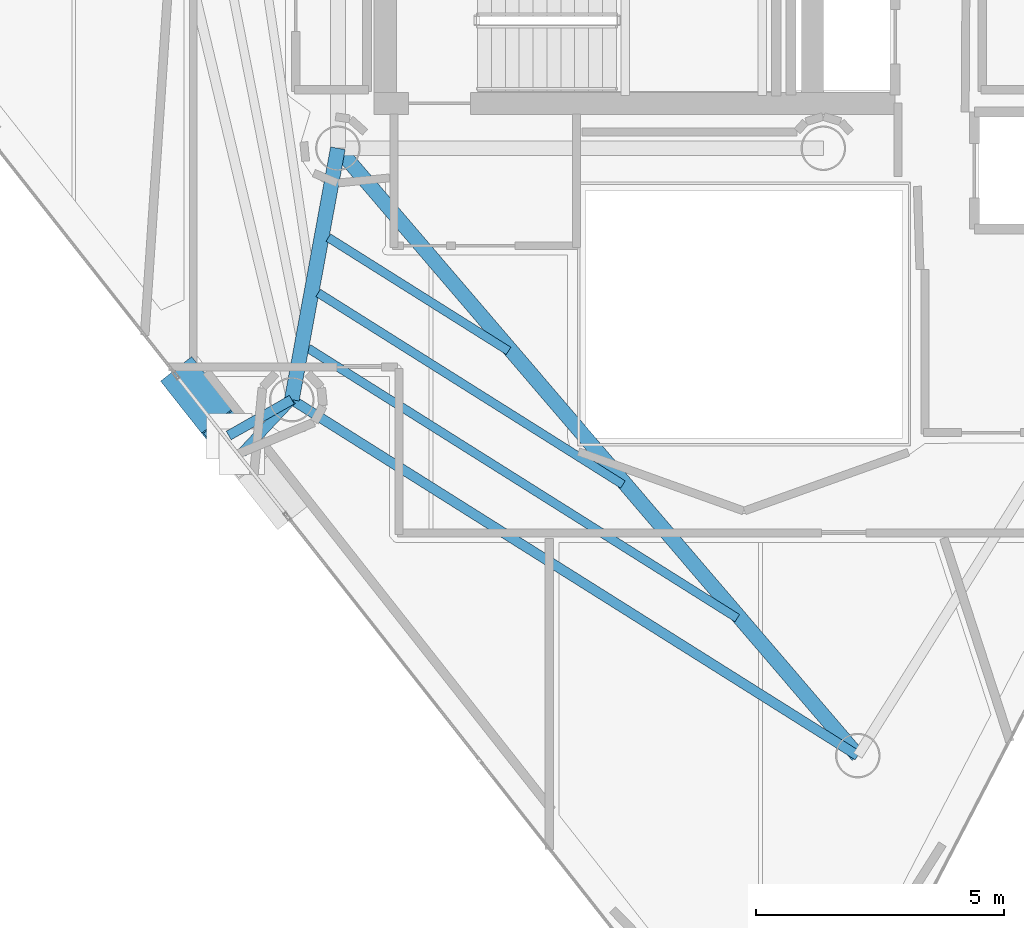
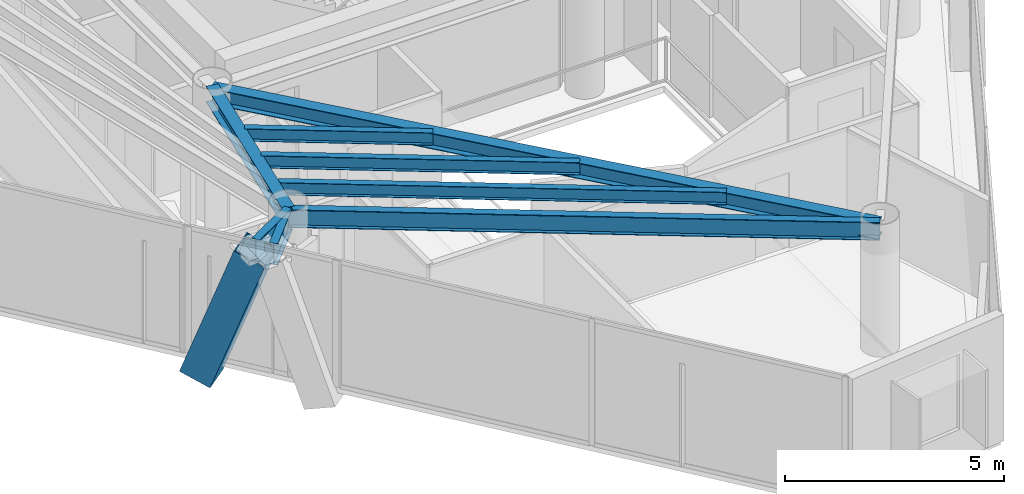
# One storey, part 4 of 21: 8 beams, 1 member.
"""IFC4 building model written with IfcOpenShell, lengths in metres."""

from ifc_helpers import new_model, si_unit, direction, frame, origin, origin_2d, place, context, subcontext, project, spatial, hollow_rectangle, i_section, extrude, material, material_profile, profile_set, type_object, element, save


model = new_model("IFC4")

# Units and contexts
model_context = context("Model", 3, precision=1e-05, world=origin(), true_north=direction((0.0, 1.0)))
body_context = subcontext(model_context, "Body", "Model", "MODEL_VIEW")
ifc_project = project(units=[si_unit("LENGTHUNIT", "METRE"), si_unit("AREAUNIT", "SQUARE_METRE"), si_unit("VOLUMEUNIT", "CUBIC_METRE"), si_unit("PLANEANGLEUNIT", "RADIAN"), si_unit("MASSUNIT", "GRAM", prefix="KILO")], contexts=[model_context])

# Site, building, storey
site_placement = place(None, origin())
site = spatial("IfcSite", under=ifc_project, at=site_placement, CompositionType="ELEMENT")
building_placement = place(site_placement, origin())
building = spatial("IfcBuilding", under=site, at=building_placement, Name="Qianvela Tower", CompositionType="ELEMENT")
storey_placement = place(building_placement, frame((0.0, 0.0, 310.199951171875)))
storey = spatial("IfcBuildingStorey", under=building, at=storey_placement, Name="L80", CompositionType="ELEMENT", Elevation=310.199951171875)

# Beams
ifc_material_1 = material(Name="Steel Q355B", Category="steel")
ifc_material_profile_1 = material_profile(ifc_material_1, i_section(OverallWidth=0.300048828125, OverallDepth=0.43994140625, WebThickness=0.010986328125, FlangeThickness=0.01806640625, at=origin_2d()), Name="HM440x300x11x18")
ifc_profile_set_1 = profile_set([ifc_material_profile_1], Name="Steel Q355B")
beam_type_1 = type_object("IfcBeamType", Name="BM-HM440-COLL", PredefinedType="BEAM", material=ifc_profile_set_1)
beam_1_placement = place(storey_placement, frame((28.60009765625, 23.85009765625, 3.298095703125), z_axis=(-0.180242432023, -0.983622216961, 0.0), x_axis=(0.983622216961, -0.180242432023, 0.0)))
element("IfcBeam", 1, at=beam_1_placement, inside=storey, type_object=beam_type_1, Name="L80 Radial Primary Floor Girder 4", PredefinedType="BEAM", context=body_context, shape_type="SweptSolid", body=[
    extrude(i_section(OverallWidth=0.300048828125, OverallDepth=0.43994140625, WebThickness=0.010986328125, FlangeThickness=0.01806640625, at=origin_2d()), origin(), (0.0, 0.0, 1.0), 5.16064453125),
])
beam_2_placement = place(storey_placement, frame((28.60009765625, 23.85009765625, 3.298095703125), z_axis=(0.650269293807, -0.75970378802, 0.0), x_axis=(0.75970378802, 0.650269293807, 0.0)))
element("IfcBeam", 2, at=beam_2_placement, inside=storey, type_object=beam_type_1, Name="L80 Radial Primary Floor Girder 5", PredefinedType="BEAM", context=body_context, shape_type="SweptSolid", body=[
    extrude(i_section(OverallWidth=0.300048828125, OverallDepth=0.43994140625, WebThickness=0.010986328125, FlangeThickness=0.01806640625, at=origin_2d()), origin(), (0.0, 0.0, 1.0), 16.140869140625),
])
ifc_material_2 = material(Name="Steel Q355B", Category="steel")
ifc_material_profile_2 = material_profile(ifc_material_2, i_section(OverallWidth=0.175048828125, OverallDepth=0.35009765625, WebThickness=0.007080078125, FlangeThickness=0.010986328125, at=origin_2d()), Name="HN350x175x7x11")
ifc_profile_set_2 = profile_set([ifc_material_profile_2], Name="Steel Q355B")
beam_type_2 = type_object("IfcBeamType", Name="BM-HN350-JOIST", PredefinedType="JOIST", material=ifc_profile_set_2)
beam_3_placement = place(storey_placement, frame((28.407470703125, 22.04638671875, 3.343017578125), z_axis=(0.846501223135, -0.532386775973, 0.0), x_axis=(0.532386775973, 0.846501223135, 0.0)))
element("IfcBeam", 3, at=beam_3_placement, inside=storey, type_object=beam_type_2, Name="L80 Secondary Composite Floor Joist 4.1", PredefinedType="JOIST", context=body_context, shape_type="SweptSolid", body=[
    extrude(i_section(OverallWidth=0.175048828125, OverallDepth=0.35009765625, WebThickness=0.007080078125, FlangeThickness=0.010986328125, at=origin_2d()), origin(), (0.0, 0.0, 1.0), 4.29736328125),
])
beam_4_placement = place(storey_placement, frame((28.202880859375, 20.9296875, 3.343017578125), z_axis=(0.846507641225, -0.532376570998, 0.0), x_axis=(0.532376570998, 0.846507641225, 0.0)))
element("IfcBeam", 4, at=beam_4_placement, inside=storey, type_object=beam_type_2, Name="L80 Secondary Composite Floor Joist 4.2", PredefinedType="JOIST", context=body_context, shape_type="SweptSolid", body=[
    extrude(i_section(OverallWidth=0.175048828125, OverallDepth=0.35009765625, WebThickness=0.007080078125, FlangeThickness=0.010986328125, at=origin_2d()), origin(), (0.0, 0.0, 1.0), 7.266845703125),
])
beam_5_placement = place(storey_placement, frame((27.998291015625, 19.81298828125, 3.343017578125), z_axis=(0.846499587038, -0.532389377377, 0.0), x_axis=(0.532389377377, 0.846499587038, 0.0)))
element("IfcBeam", 5, at=beam_5_placement, inside=storey, type_object=beam_type_2, Name="L80 Secondary Composite Floor Joist 4.3", PredefinedType="JOIST", context=body_context, shape_type="SweptSolid", body=[
    extrude(i_section(OverallWidth=0.175048828125, OverallDepth=0.35009765625, WebThickness=0.007080078125, FlangeThickness=0.010986328125, at=origin_2d()), origin(), (0.0, 0.0, 1.0), 10.236328125),
])
ifc_material_3 = material(Name="Steel Q355B", Category="steel")
ifc_material_profile_3 = material_profile(ifc_material_3, i_section(OverallWidth=0.199951171875, OverallDepth=0.5, WebThickness=0.010009765625, FlangeThickness=0.01611328125, at=origin_2d()), Name="HN500x200x10x16")
ifc_profile_set_3 = profile_set([ifc_material_profile_3], Name="Steel Q355B")
beam_type_3 = type_object("IfcBeamType", Name="BM-HN500-GIRD", PredefinedType="BEAM", material=ifc_profile_set_3)
beam_6_placement = place(storey_placement, frame((27.669921875, 18.77392578125, 3.26806640625), z_axis=(0.846504270846, -0.532381930046, 0.0), x_axis=(0.532381930046, 0.846504270846, 0.0)))
element("IfcBeam", 6, at=beam_6_placement, inside=storey, type_object=beam_type_3, Name="L80 Perimeter Ring Spandrel Girder 4", PredefinedType="BEAM", context=body_context, shape_type="SweptSolid", body=[
    extrude(i_section(OverallWidth=0.199951171875, OverallDepth=0.5, WebThickness=0.010009765625, FlangeThickness=0.01611328125, at=origin_2d()), origin(), (0.0, 0.0, 1.0), 13.497802734375),
])
ifc_material_4 = material(Name="Steel Q355B", Category="steel")
ifc_material_profile_4 = material_profile(ifc_material_4, i_section(OverallWidth=0.199951171875, OverallDepth=0.60009765625, WebThickness=0.010986328125, FlangeThickness=0.01708984375, at=origin_2d()), Name="HN600x200x11x17")
ifc_profile_set_4 = profile_set([ifc_material_profile_4], Name="Steel Q355B")
beam_type_4 = type_object("IfcBeamType", Name="BM-HN600-GIRD", PredefinedType="BEAM", material=ifc_profile_set_4)
for number, where, z_axis, x_axis, name in (
    (7, (27.669921875, 18.77392578125, 3.218017578125), (-0.869450053557, -0.494020854186, 0.0), (0.494020854186, -0.869450053557, 0.0), "L80 Mega-Brace Column Tie Bracket F2-1"),
    (8, (27.669921875, 18.77392578125, 3.218017578125), (-0.683575365754, -0.729879934876, 0.0), (0.729879934876, -0.683575365754, 0.0), "L80 Mega-Brace Column Tie Bracket F2-2"),
):
    element("IfcBeam", number, at=place(storey_placement, frame(where, z_axis=z_axis, x_axis=x_axis)), inside=storey, type_object=beam_type_4, Name=name, PredefinedType="BEAM", context=body_context, shape_type="SweptSolid", body=[
        extrude(i_section(OverallWidth=0.199951171875, OverallDepth=0.60009765625, WebThickness=0.010986328125, FlangeThickness=0.01708984375, at=origin_2d()), origin(), (0.0, 0.0, 1.0), 1.4658203125),
    ])

# Member
ifc_material_5 = material(Name="Steel Q420GJC", Category="steel")
ifc_material_profile_5 = material_profile(ifc_material_5, hollow_rectangle(XDim=0.800048828125, YDim=0.800048828125, WallThickness=0.028076171875, at=origin_2d()), Name="MBOX-800x800x28")
ifc_profile_set_5 = profile_set([ifc_material_profile_5], Name="Steel Q420GJC")
member_type = type_object("IfcMemberType", Name="MBR-MBRACE-800", PredefinedType="BRACE", material=ifc_profile_set_5)
member_placement = place(storey_placement, frame((25.567626953125, 19.100341796875, -0.48193359375), z_axis=(0.210426897023, -0.267020624562, 0.940436338657), x_axis=(0.785424447098, 0.618957541275, 0.0)))
element("IfcMember", 9, at=member_placement, inside=storey, type_object=member_type, Name="L80 Tier 13 Exterior Mega-Brace F2A", PredefinedType="BRACE", context=body_context, shape_type="SweptSolid", body=[
    extrude(hollow_rectangle(XDim=0.800048828125, YDim=0.800048828125, WallThickness=0.028076171875, at=origin_2d()), origin(), (0.0, 0.0, 1.0), 3.934326171875),
])

save(model, "model.ifc")
